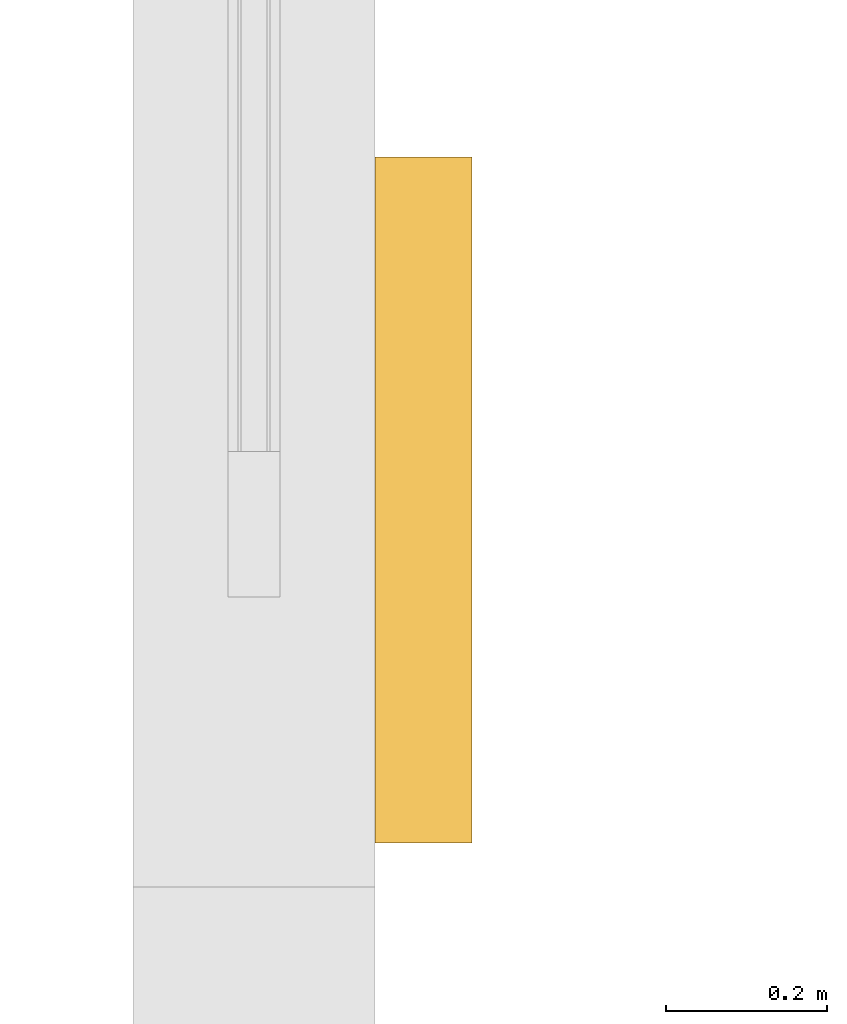
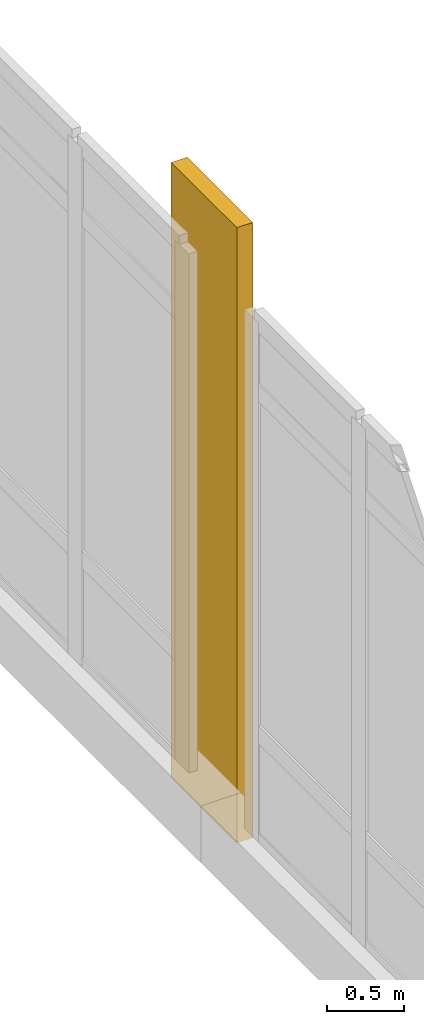
# One storey, part 107 of 110: 1 covering.
"""IFC4 building model written with IfcOpenShell, lengths in metres."""

from ifc_helpers import new_model, si_unit, direction, frame, origin, origin_2d, place, context, subcontext, project, spatial, rectangle, extrude, material, layer, layer_set, type_object, element, save


model = new_model("IFC4")

# Units and contexts
model_context = context("Model", 3, precision=1e-05, world=origin(), true_north=direction((0.0, 1.0)))
body_context = subcontext(model_context, "Body", "Model", "MODEL_VIEW")
ifc_project = project(units=[si_unit("LENGTHUNIT", "METRE"), si_unit("AREAUNIT", "SQUARE_METRE"), si_unit("VOLUMEUNIT", "CUBIC_METRE"), si_unit("PLANEANGLEUNIT", "RADIAN"), si_unit("MASSUNIT", "GRAM", prefix="KILO")], contexts=[model_context])

# Site, building, storey
site_placement = place(None, origin())
site = spatial("IfcSite", under=ifc_project, at=site_placement, CompositionType="ELEMENT")
building_placement = place(site_placement, origin())
building = spatial("IfcBuilding", under=site, at=building_placement, Name="Zacnel Wholesale Market", CompositionType="ELEMENT")
storey_placement = place(building_placement, frame((0.0, 0.0, 6.300048828125)))
storey = spatial("IfcBuildingStorey", under=building, at=storey_placement, Name="L02", CompositionType="ELEMENT", Elevation=6.300048828125)

# Covering
ifc_material = material(Name="Honed Yucatan Maya cream limestone", Category="masonry")
ifc_layer = layer(ifc_material, 0.090087890625)
ifc_layer_set = layer_set([ifc_layer], Name="Honed Yucatan Maya cream limestone")
covering_type = type_object("IfcCoveringType", Name="COV-CLAD-FRET", PredefinedType="CLADDING", material=ifc_layer_set)
covering_placement = place(storey_placement, frame((189.2099609375, 120.47998046875, 0.02001953125), z_axis=(0.0, 0.0, 1.0), x_axis=(0.0, 1.0, 0.0)))
element("IfcCovering", 1, at=covering_placement, inside=storey, type_object=covering_type, Name="Fluted Mayan-Deco limestone pilaster L02-0142", PredefinedType="CLADDING", context=body_context, shape_type="SweptSolid", body=[
    extrude(rectangle(XDim=0.85009765625, YDim=0.1201171875, at=origin_2d()), origin(), (0.0, 0.0, 1.0), 4.860107421875),
])

save(model, "model.ifc")
